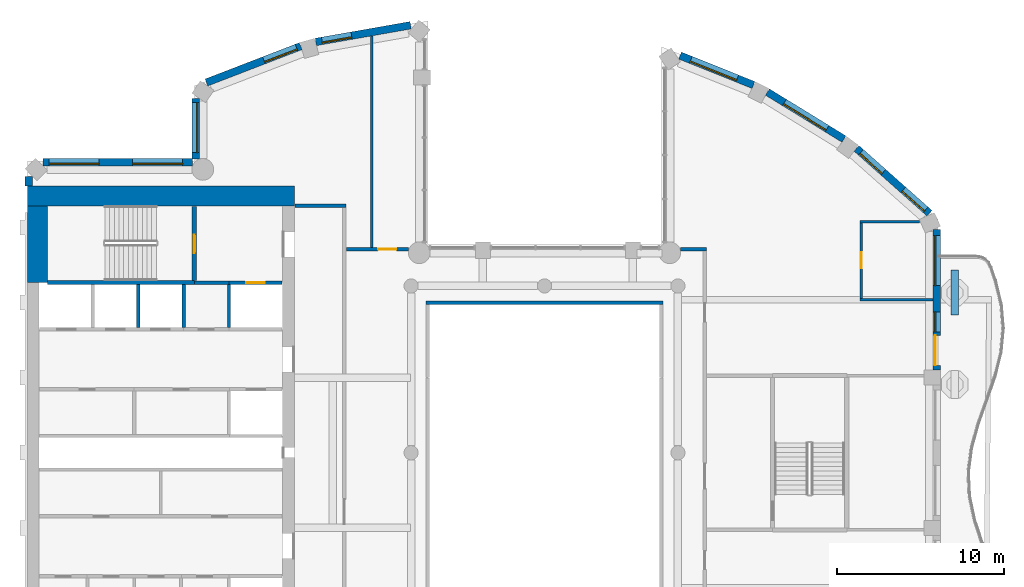
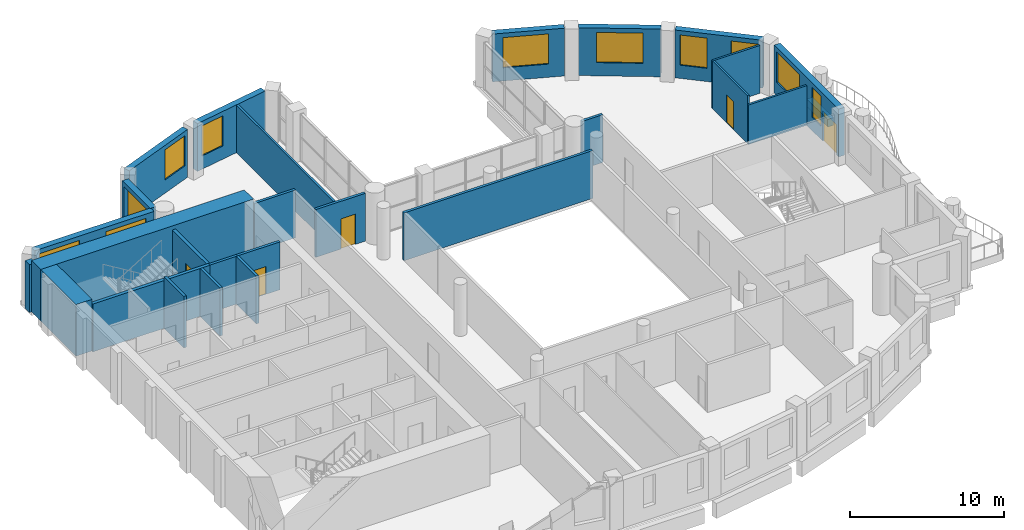
# One storey, part 7 of 14: 27 walls, 11 windows, 5 doors, 16 openings.
"""IFC4 building model written with IfcOpenShell, lengths in metres."""

from ifc_helpers import new_model, si_unit, direction, frame, frame_2d, origin, place, context, subcontext, project, spatial, rectangle, extrude, material, layer, layer_set, type_object, element, fill, save


model = new_model("IFC4")

# Units and contexts
model_context = context("Model", 3, precision=1e-05, world=origin(), true_north=direction((0.0, 1.0)))
body_context = subcontext(model_context, "Body", "Model", "MODEL_VIEW")
ifc_project = project(units=[si_unit("LENGTHUNIT", "METRE"), si_unit("AREAUNIT", "SQUARE_METRE"), si_unit("VOLUMEUNIT", "CUBIC_METRE"), si_unit("PLANEANGLEUNIT", "RADIAN"), si_unit("MASSUNIT", "GRAM", prefix="KILO")], contexts=[model_context])

# Site, building, storey
site_placement = place(None, origin())
site = spatial("IfcSite", under=ifc_project, at=site_placement, CompositionType="ELEMENT")
building_placement = place(site_placement, origin())
building = spatial("IfcBuilding", under=site, at=building_placement, Name="Cypress Arch Tower", CompositionType="ELEMENT")
storey_placement = place(building_placement, frame((0.0, 0.0, 296.699951171875)))
storey = spatial("IfcBuildingStorey", under=building, at=storey_placement, Name="L67", CompositionType="ELEMENT", Elevation=296.699951171875)

# Wall
ifc_material_1 = material(Name="Concrete C40/50, waterproofed", Category="concrete")
ifc_layer_1 = layer(ifc_material_1, 0.449951171875)
ifc_layer_set_1 = layer_set([ifc_layer_1], Name="Balcony planter wall PW450")
wall_type_1 = type_object("IfcWallType", Name="Balcony planter wall PW450", PredefinedType="SOLIDWALL", material=ifc_layer_set_1)
wall_1_placement = place(storey_placement, frame((25.60009765625, 8.25, 0.0), z_axis=(0.0, 0.0, 1.0), x_axis=(0.0, 1.0, 0.0)))
element("IfcWall", 1, at=wall_1_placement, inside=storey, type_object=wall_type_1, Name="Balcony planter wall L67-C17.3", PredefinedType="SOLIDWALL", context=body_context, shape_type="SweptSolid", body=[
    extrude(rectangle(XDim=2.699951171875, YDim=0.449951171875, at=frame_2d((1.35009765625, 0.0))), origin(), (0.0, 0.0, 1.0), 0.60009765625),
])

# Wall, opening, window
ifc_material_2 = material(Name="Brick (red buff blend)", Category="masonry")
ifc_layer_2 = layer(ifc_material_2, 0.449951171875)
ifc_layer_set_2 = layer_set([ifc_layer_2], Name="Brick pier and spandrel wall BW450")
wall_type_2 = type_object("IfcWallType", Name="Brick pier and spandrel wall BW450", PredefinedType="SOLIDWALL", material=ifc_layer_set_2)
wall_2_placement = place(storey_placement, frame((-7.028564453125, 25.63232421875, 0.0), z_axis=(0.0, 0.0, 1.0), x_axis=(-0.984797606634, -0.173705710808, 0.0)))
wall_2 = element("IfcWall", 2, at=wall_2_placement, inside=storey, type_object=wall_type_2, Name="Brick wall L67 C03.0", PredefinedType="SOLIDWALL", context=body_context, shape_type="SweptSolid", body=[
    extrude(rectangle(XDim=5.772216796875, YDim=0.449951171875, at=frame_2d((2.88623046875, 0.0))), origin(), (0.0, 0.0, 1.0), 3.800048828125),
])
opening_1_placement = place(wall_2_placement, frame((3.59326171875, 0.0, 1.050048828125)))
opening_1 = element("IfcOpeningElement", 3, at=opening_1_placement, cuts=wall_2, Name="Opening W180O", PredefinedType="OPENING", context=body_context, shape_type="SweptSolid", body=[
    extrude(rectangle(XDim=1.800048828125, YDim=2.39990234375, at=frame_2d((0.89990234375, 1.199951171875))), frame((0.0, 0.23486328125, 0.0), z_axis=(0.0, -1.0, 0.0), x_axis=(1.0, 0.0, 0.0)), (0.0, 0.0, 1.0), 0.469970703125),
])
ifc_material_3 = material(Name="Anodised aluminium, bronze finish, clear low-emissivity double glazing", Category="aluminium")
window_type_1 = type_object("IfcWindowType", Name="Window Office 1800x2400", PartitioningType="SINGLE_PANEL", PredefinedType="WINDOW", material=ifc_material_3)
window_1_placement = place(opening_1_placement, origin())
window_1 = element("IfcWindow", 4, at=window_1_placement, inside=storey, type_object=window_type_1, Name="Window L67 C03.0.2", OverallHeight=2.39990234375, OverallWidth=1.800048828125, PartitioningType="SINGLE_PANEL", PredefinedType="WINDOW", context=body_context, shape_type="SweptSolid", body=[
    extrude(rectangle(XDim=1.800048828125, YDim=2.39990234375, at=frame_2d((0.89990234375, 1.199951171875))), frame((0.0, 0.135009765625, 0.0), z_axis=(0.0, -1.0, 0.0), x_axis=(1.0, 0.0, 0.0)), (0.0, 0.0, 1.0), 0.06005859375),
])
fill(opening_1, window_1)

wall_3_placement = place(storey_placement, frame((-13.6220703125, 24.376953125, 0.0), z_axis=(0.0, 0.0, 1.0), x_axis=(-0.933129259679, -0.359541075164, 0.0)))
wall_3 = element("IfcWall", 5, at=wall_3_placement, inside=storey, type_object=wall_type_2, Name="Brick wall L67 C04.0", PredefinedType="SOLIDWALL", context=body_context, shape_type="SweptSolid", body=[
    extrude(rectangle(XDim=6.05419921875, YDim=0.449951171875, at=frame_2d((3.027099609375, 0.0))), origin(), (0.0, 0.0, 1.0), 3.800048828125),
])
opening_2_placement = place(wall_3_placement, frame((0.260986328125, 0.0, 1.050048828125)))
opening_2 = element("IfcOpeningElement", 6, at=opening_2_placement, cuts=wall_3, Name="Opening W210O", PredefinedType="OPENING", context=body_context, shape_type="SweptSolid", body=[
    extrude(rectangle(XDim=2.10009765625, YDim=2.39990234375, at=frame_2d((1.050048828125, 1.199951171875))), frame((0.0, 0.23486328125, 0.0), z_axis=(0.0, -1.0, 0.0), x_axis=(1.0, 0.0, 0.0)), (0.0, 0.0, 1.0), 0.469970703125),
])
ifc_material_4 = material(Name="Anodised aluminium, bronze finish, clear low-emissivity double glazing", Category="aluminium")
window_type_2 = type_object("IfcWindowType", Name="Window Office 2100x2400", PartitioningType="SINGLE_PANEL", PredefinedType="WINDOW", material=ifc_material_4)
window_2_placement = place(opening_2_placement, origin())
window_2 = element("IfcWindow", 7, at=window_2_placement, inside=storey, type_object=window_type_2, Name="Window L67 C04.0.1", OverallHeight=2.39990234375, OverallWidth=2.10009765625, PartitioningType="SINGLE_PANEL", PredefinedType="WINDOW", context=body_context, shape_type="SweptSolid", body=[
    extrude(rectangle(XDim=2.10009765625, YDim=2.39990234375, at=frame_2d((1.050048828125, 1.199951171875))), frame((0.0, 0.135009765625, 0.0), z_axis=(0.0, -1.0, 0.0), x_axis=(1.0, 0.0, 0.0)), (0.0, 0.0, 1.0), 0.06005859375),
])
fill(opening_2, window_2)

wall_4_placement = place(storey_placement, frame((-19.925048828125, 21.248291015625, 0.0), z_axis=(0.0, 0.0, 1.0), x_axis=(0.0, -1.0, 0.0)))
wall_4 = element("IfcWall", 8, at=wall_4_placement, inside=storey, type_object=wall_type_2, Name="Brick wall L67 C05.0", PredefinedType="SOLIDWALL", context=body_context, shape_type="SweptSolid", body=[
    extrude(rectangle(XDim=3.646728515625, YDim=0.449951171875, at=frame_2d((1.8232421875, 0.0))), origin(), (0.0, 0.0, 1.0), 3.800048828125),
])
opening_3_placement = place(wall_4_placement, frame((0.251220703125, 0.0, 1.050048828125)))
opening_3 = element("IfcOpeningElement", 9, at=opening_3_placement, cuts=wall_4, Name="Opening W300O", PredefinedType="OPENING", context=body_context, shape_type="SweptSolid", body=[
    extrude(rectangle(XDim=3.0, YDim=2.39990234375, at=frame_2d((1.5, 1.199951171875))), frame((0.0, 0.23486328125, 0.0), z_axis=(0.0, -1.0, 0.0), x_axis=(1.0, 0.0, 0.0)), (0.0, 0.0, 1.0), 0.469970703125),
])
ifc_material_5 = material(Name="Anodised aluminium, bronze finish, clear low-emissivity double glazing", Category="aluminium")
window_type_3 = type_object("IfcWindowType", Name="Window Office 3000x2400", PartitioningType="SINGLE_PANEL", PredefinedType="WINDOW", material=ifc_material_5)
window_3_placement = place(opening_3_placement, origin())
window_3 = element("IfcWindow", 10, at=window_3_placement, inside=storey, type_object=window_type_3, Name="Window L67 C05.0.1", OverallHeight=2.39990234375, OverallWidth=3.0, PartitioningType="SINGLE_PANEL", PredefinedType="WINDOW", context=body_context, shape_type="SweptSolid", body=[
    extrude(rectangle(XDim=3.0, YDim=2.39990234375, at=frame_2d((1.5, 1.199951171875))), frame((0.0, 0.135009765625, 0.0), z_axis=(0.0, -1.0, 0.0), x_axis=(1.0, 0.0, 0.0)), (0.0, 0.0, 1.0), 0.06005859375),
])
fill(opening_3, window_3)

# Wall, openings, windows
wall_5_placement = place(storey_placement, frame((-20.1015625, 17.425048828125, 0.0), z_axis=(0.0, 0.0, 1.0), x_axis=(-1.0, 0.0, 0.0)))
wall_5 = element("IfcWall", 11, at=wall_5_placement, inside=storey, type_object=wall_type_2, Name="Brick wall L67 C06.0", PredefinedType="SOLIDWALL", context=body_context, shape_type="SweptSolid", body=[
    extrude(rectangle(XDim=8.962158203125, YDim=0.449951171875, at=frame_2d((4.48095703125, 0.0))), origin(), (0.0, 0.0, 1.0), 3.800048828125),
])
opening_4_placement = place(wall_5_placement, frame((0.598388671875, 0.0, 1.050048828125)))
opening_4 = element("IfcOpeningElement", 12, at=opening_4_placement, cuts=wall_5, Name="Opening W300O", PredefinedType="OPENING", context=body_context, shape_type="SweptSolid", body=[
    extrude(rectangle(XDim=3.0, YDim=2.39990234375, at=frame_2d((1.5, 1.199951171875))), frame((0.0, 0.23486328125, 0.0), z_axis=(0.0, -1.0, 0.0), x_axis=(1.0, 0.0, 0.0)), (0.0, 0.0, 1.0), 0.469970703125),
])
opening_5_placement = place(wall_5_placement, frame((5.598388671875, 0.0, 1.050048828125)))
opening_5 = element("IfcOpeningElement", 13, at=opening_5_placement, cuts=wall_5, Name="Opening W300O", PredefinedType="OPENING", context=body_context, shape_type="SweptSolid", body=[
    extrude(rectangle(XDim=3.0, YDim=2.39990234375, at=frame_2d((1.5, 1.199951171875))), frame((0.0, 0.23486328125, 0.0), z_axis=(0.0, -1.0, 0.0), x_axis=(1.0, 0.0, 0.0)), (0.0, 0.0, 1.0), 0.469970703125),
])
window_4_placement = place(opening_4_placement, origin())
window_4 = element("IfcWindow", 14, at=window_4_placement, inside=storey, type_object=window_type_3, Name="Window L67 C06.0.1", OverallHeight=2.39990234375, OverallWidth=3.0, PartitioningType="SINGLE_PANEL", PredefinedType="WINDOW", context=body_context, shape_type="SweptSolid", body=[
    extrude(rectangle(XDim=3.0, YDim=2.39990234375, at=frame_2d((1.5, 1.199951171875))), frame((0.0, 0.135009765625, 0.0), z_axis=(0.0, -1.0, 0.0), x_axis=(1.0, 0.0, 0.0)), (0.0, 0.0, 1.0), 0.06005859375),
])
fill(opening_4, window_4)
window_5_placement = place(opening_5_placement, origin())
window_5 = element("IfcWindow", 15, at=window_5_placement, inside=storey, type_object=window_type_3, Name="Window L67 C06.0.2", OverallHeight=2.39990234375, OverallWidth=3.0, PartitioningType="SINGLE_PANEL", PredefinedType="WINDOW", context=body_context, shape_type="SweptSolid", body=[
    extrude(rectangle(XDim=3.0, YDim=2.39990234375, at=frame_2d((1.5, 1.199951171875))), frame((0.0, 0.135009765625, 0.0), z_axis=(0.0, -1.0, 0.0), x_axis=(1.0, 0.0, 0.0)), (0.0, 0.0, 1.0), 0.06005859375),
])
fill(opening_5, window_5)

# Wall
wall_6_placement = place(storey_placement, frame((-29.925048828125, 16.563720703125, 0.0), z_axis=(0.0, 0.0, 1.0), x_axis=(0.0, -1.0, 0.0)))
element("IfcWall", 16, at=wall_6_placement, inside=storey, type_object=wall_type_2, Name="Brick wall L67 C07.0", PredefinedType="SOLIDWALL", context=body_context, shape_type="SweptSolid", body=[
    extrude(rectangle(XDim=0.563720703125, YDim=0.449951171875, at=frame_2d((0.28173828125, 0.0))), origin(), (0.0, 0.0, 1.0), 3.800048828125),
])

# Wall, openings, door, windows
wall_7_placement = place(storey_placement, frame((24.52490234375, 4.949951171875, 0.0), z_axis=(0.0, 0.0, 1.0), x_axis=(0.0, 1.0, 0.0)))
wall_7 = element("IfcWall", 17, at=wall_7_placement, inside=storey, type_object=wall_type_2, Name="Brick wall L67 C17.2", PredefinedType="SOLIDWALL", context=body_context, shape_type="SweptSolid", body=[
    extrude(rectangle(XDim=8.421875, YDim=0.449951171875, at=frame_2d((4.2109375, 0.0))), origin(), (0.0, 0.0, 1.0), 3.800048828125),
])
opening_6_placement = place(wall_7_placement, frame((0.291259765625, 0.0, 0.0)))
opening_6 = element("IfcOpeningElement", 18, at=opening_6_placement, cuts=wall_7, Name="Opening D-L67-C17.2.1", PredefinedType="OPENING", context=body_context, shape_type="SweptSolid", body=[
    extrude(rectangle(XDim=1.800048828125, YDim=2.39990234375, at=frame_2d((0.89990234375, 1.199951171875))), frame((0.0, 0.23486328125, 0.0), z_axis=(0.0, -1.0, 0.0), x_axis=(1.0, 0.0, 0.0)), (0.0, 0.0, 1.0), 0.469970703125),
])
opening_7_placement = place(wall_7_placement, frame((2.291259765625, 0.0, 1.050048828125)))
opening_7 = element("IfcOpeningElement", 19, at=opening_7_placement, cuts=wall_7, Name="Opening W120OD", PredefinedType="OPENING", context=body_context, shape_type="SweptSolid", body=[
    extrude(rectangle(XDim=1.199951171875, YDim=2.39990234375, at=frame_2d((0.60009765625, 1.199951171875))), frame((0.0, 0.23486328125, 0.0), z_axis=(0.0, -1.0, 0.0), x_axis=(1.0, 0.0, 0.0)), (0.0, 0.0, 1.0), 0.469970703125),
])
opening_8_placement = place(wall_7_placement, frame((5.073974609375, 0.0, 1.050048828125)))
opening_8 = element("IfcOpeningElement", 20, at=opening_8_placement, cuts=wall_7, Name="Opening W300OD", PredefinedType="OPENING", context=body_context, shape_type="SweptSolid", body=[
    extrude(rectangle(XDim=3.0, YDim=2.39990234375, at=frame_2d((1.5, 1.199951171875))), frame((0.0, 0.23486328125, 0.0), z_axis=(0.0, -1.0, 0.0), x_axis=(1.0, 0.0, 0.0)), (0.0, 0.0, 1.0), 0.469970703125),
])
ifc_material_6 = material(Name="Anodised aluminium, bronze finish, laminated low-emissivity double glazing, large-missile impact rated", Category="aluminium")
door_type_1 = type_object("IfcDoorType", Name="Balcony sliding door 1800x2400", OperationType="SLIDING_TO_LEFT", PredefinedType="DOOR", material=ifc_material_6)
door_1_placement = place(opening_6_placement, origin())
door_1 = element("IfcDoor", 21, at=door_1_placement, inside=storey, type_object=door_type_1, Name="Balcony door L67 C17.2.1", OperationType="SLIDING_TO_LEFT", OverallHeight=2.39990234375, OverallWidth=1.800048828125, PredefinedType="DOOR", context=body_context, shape_type="SweptSolid", body=[
    extrude(rectangle(XDim=1.800048828125, YDim=2.39990234375, at=frame_2d((0.89990234375, 1.199951171875))), frame((0.0, 0.1298828125, 0.0), z_axis=(0.0, -1.0, 0.0), x_axis=(1.0, 0.0, 0.0)), (0.0, 0.0, 1.0), 0.050048828125),
])
fill(opening_6, door_1)
ifc_material_7 = material(Name="Anodised aluminium, bronze finish, laminated low-emissivity double glazing, large-missile impact rated", Category="aluminium")
window_type_4 = type_object("IfcWindowType", Name="Window Office 1200x2400 debris-rated", PartitioningType="SINGLE_PANEL", PredefinedType="WINDOW", material=ifc_material_7)
window_6_placement = place(opening_7_placement, origin())
window_6 = element("IfcWindow", 22, at=window_6_placement, inside=storey, type_object=window_type_4, Name="Window L67 C17.2.1", OverallHeight=2.39990234375, OverallWidth=1.199951171875, PartitioningType="SINGLE_PANEL", PredefinedType="WINDOW", context=body_context, shape_type="SweptSolid", body=[
    extrude(rectangle(XDim=1.199951171875, YDim=2.39990234375, at=frame_2d((0.60009765625, 1.199951171875))), frame((0.0, 0.135009765625, 0.0), z_axis=(0.0, -1.0, 0.0), x_axis=(1.0, 0.0, 0.0)), (0.0, 0.0, 1.0), 0.06005859375),
])
fill(opening_7, window_6)
ifc_material_8 = material(Name="Anodised aluminium, bronze finish, laminated low-emissivity double glazing, large-missile impact rated", Category="aluminium")
window_type_5 = type_object("IfcWindowType", Name="Window Office 3000x2400 debris-rated", PartitioningType="SINGLE_PANEL", PredefinedType="WINDOW", material=ifc_material_8)
window_7_placement = place(opening_8_placement, origin())
window_7 = element("IfcWindow", 23, at=window_7_placement, inside=storey, type_object=window_type_5, Name="Window L67 C17.2.2", OverallHeight=2.39990234375, OverallWidth=3.0, PartitioningType="SINGLE_PANEL", PredefinedType="WINDOW", context=body_context, shape_type="SweptSolid", body=[
    extrude(rectangle(XDim=3.0, YDim=2.39990234375, at=frame_2d((1.5, 1.199951171875))), frame((0.0, 0.135009765625, 0.0), z_axis=(0.0, -1.0, 0.0), x_axis=(1.0, 0.0, 0.0)), (0.0, 0.0, 1.0), 0.06005859375),
])
fill(opening_8, window_7)

# Wall, openings, windows
wall_8_placement = place(storey_placement, frame((24.08056640625, 14.361083984375, 0.0), z_axis=(0.0, 0.0, 1.0), x_axis=(-0.747570482973, 0.664182484704, 0.0)))
wall_8 = element("IfcWall", 24, at=wall_8_placement, inside=storey, type_object=wall_type_2, Name="Brick wall L67 C18.0", PredefinedType="SOLIDWALL", context=body_context, shape_type="SweptSolid", body=[
    extrude(rectangle(XDim=5.849609375, YDim=0.449951171875, at=frame_2d((2.9248046875, 0.0))), origin(), (0.0, 0.0, 1.0), 3.800048828125),
])
opening_9_placement = place(wall_8_placement, frame((0.305419921875, 0.0, 1.050048828125)))
opening_9 = element("IfcOpeningElement", 25, at=opening_9_placement, cuts=wall_8, Name="Opening W180O", PredefinedType="OPENING", context=body_context, shape_type="SweptSolid", body=[
    extrude(rectangle(XDim=1.800048828125, YDim=2.39990234375, at=frame_2d((0.89990234375, 1.199951171875))), frame((0.0, 0.23486328125, 0.0), z_axis=(0.0, -1.0, 0.0), x_axis=(1.0, 0.0, 0.0)), (0.0, 0.0, 1.0), 0.469970703125),
])
opening_10_placement = place(wall_8_placement, frame((3.702880859375, 0.0, 1.050048828125)))
opening_10 = element("IfcOpeningElement", 26, at=opening_10_placement, cuts=wall_8, Name="Opening W180O", PredefinedType="OPENING", context=body_context, shape_type="SweptSolid", body=[
    extrude(rectangle(XDim=1.800048828125, YDim=2.39990234375, at=frame_2d((0.89990234375, 1.199951171875))), frame((0.0, 0.23486328125, 0.0), z_axis=(0.0, -1.0, 0.0), x_axis=(1.0, 0.0, 0.0)), (0.0, 0.0, 1.0), 0.469970703125),
])
window_8_placement = place(opening_9_placement, origin())
window_8 = element("IfcWindow", 27, at=window_8_placement, inside=storey, type_object=window_type_1, Name="Window L67 C18.0.1", OverallHeight=2.39990234375, OverallWidth=1.800048828125, PartitioningType="SINGLE_PANEL", PredefinedType="WINDOW", context=body_context, shape_type="SweptSolid", body=[
    extrude(rectangle(XDim=1.800048828125, YDim=2.39990234375, at=frame_2d((0.89990234375, 1.199951171875))), frame((0.0, 0.135009765625, 0.0), z_axis=(0.0, -1.0, 0.0), x_axis=(1.0, 0.0, 0.0)), (0.0, 0.0, 1.0), 0.06005859375),
])
fill(opening_9, window_8)
window_9_placement = place(opening_10_placement, origin())
window_9 = element("IfcWindow", 28, at=window_9_placement, inside=storey, type_object=window_type_1, Name="Window L67 C18.0.2", OverallHeight=2.39990234375, OverallWidth=1.800048828125, PartitioningType="SINGLE_PANEL", PredefinedType="WINDOW", context=body_context, shape_type="SweptSolid", body=[
    extrude(rectangle(XDim=1.800048828125, YDim=2.39990234375, at=frame_2d((0.89990234375, 1.199951171875))), frame((0.0, 0.135009765625, 0.0), z_axis=(0.0, -1.0, 0.0), x_axis=(1.0, 0.0, 0.0)), (0.0, 0.0, 1.0), 0.06005859375),
])
fill(opening_10, window_9)

# Wall, opening, window
wall_9_placement = place(storey_placement, frame((18.953369140625, 18.806396484375, 0.0), z_axis=(0.0, 0.0, 1.0), x_axis=(-0.851860664503, 0.523768468193, 0.0)))
wall_9 = element("IfcWall", 29, at=wall_9_placement, inside=storey, type_object=wall_type_2, Name="Brick wall L67 C19.0", PredefinedType="SOLIDWALL", context=body_context, shape_type="SweptSolid", body=[
    extrude(rectangle(XDim=5.3837890625, YDim=0.449951171875, at=frame_2d((2.69189453125, 0.0))), origin(), (0.0, 0.0, 1.0), 3.800048828125),
])
opening_11_placement = place(wall_9_placement, frame((1.19189453125, 0.0, 1.050048828125)))
opening_11 = element("IfcOpeningElement", 30, at=opening_11_placement, cuts=wall_9, Name="Opening W300O", PredefinedType="OPENING", context=body_context, shape_type="SweptSolid", body=[
    extrude(rectangle(XDim=3.0, YDim=2.39990234375, at=frame_2d((1.5, 1.199951171875))), frame((0.0, 0.23486328125, 0.0), z_axis=(0.0, -1.0, 0.0), x_axis=(1.0, 0.0, 0.0)), (0.0, 0.0, 1.0), 0.469970703125),
])
window_10_placement = place(opening_11_placement, origin())
window_10 = element("IfcWindow", 31, at=window_10_placement, inside=storey, type_object=window_type_3, Name="Window L67 C19.0.1", OverallHeight=2.39990234375, OverallWidth=3.0, PartitioningType="SINGLE_PANEL", PredefinedType="WINDOW", context=body_context, shape_type="SweptSolid", body=[
    extrude(rectangle(XDim=3.0, YDim=2.39990234375, at=frame_2d((1.5, 1.199951171875))), frame((0.0, 0.135009765625, 0.0), z_axis=(0.0, -1.0, 0.0), x_axis=(1.0, 0.0, 0.0)), (0.0, 0.0, 1.0), 0.06005859375),
])
fill(opening_11, window_10)

wall_10_placement = place(storey_placement, frame((13.529296875, 22.04833984375, 0.0), z_axis=(0.0, 0.0, 1.0), x_axis=(-0.927957332619, 0.372686448424, 0.0)))
wall_10 = element("IfcWall", 32, at=wall_10_placement, inside=storey, type_object=wall_type_2, Name="Brick wall L67 C20.0", PredefinedType="SOLIDWALL", context=body_context, shape_type="SweptSolid", body=[
    extrude(rectangle(XDim=4.741455078125, YDim=0.449951171875, at=frame_2d((2.37060546875, 0.0))), origin(), (0.0, 0.0, 1.0), 3.800048828125),
])
opening_12_placement = place(wall_10_placement, frame((1.046630859375, 0.0, 1.050048828125)))
opening_12 = element("IfcOpeningElement", 33, at=opening_12_placement, cuts=wall_10, Name="Opening W300O", PredefinedType="OPENING", context=body_context, shape_type="SweptSolid", body=[
    extrude(rectangle(XDim=3.0, YDim=2.39990234375, at=frame_2d((1.5, 1.199951171875))), frame((0.0, 0.23486328125, 0.0), z_axis=(0.0, -1.0, 0.0), x_axis=(1.0, 0.0, 0.0)), (0.0, 0.0, 1.0), 0.469970703125),
])
window_11_placement = place(opening_12_placement, origin())
window_11 = element("IfcWindow", 34, at=window_11_placement, inside=storey, type_object=window_type_3, Name="Window L67 C20.0.1", OverallHeight=2.39990234375, OverallWidth=3.0, PartitioningType="SINGLE_PANEL", PredefinedType="WINDOW", context=body_context, shape_type="SweptSolid", body=[
    extrude(rectangle(XDim=3.0, YDim=2.39990234375, at=frame_2d((1.5, 1.199951171875))), frame((0.0, 0.135009765625, 0.0), z_axis=(0.0, -1.0, 0.0), x_axis=(1.0, 0.0, 0.0)), (0.0, 0.0, 1.0), 0.06005859375),
])
fill(opening_12, window_11)

# Walls
ifc_material_9 = material(Name="Concrete C60/75", Category="concrete")
ifc_layer_3 = layer(ifc_material_9, 1.199951171875)
ifc_layer_set_3 = layer_set([ifc_layer_3], Name="Core wall CW1200 C60/75")
wall_type_3 = type_object("IfcWallType", Name="Core wall CW1200 C60/75", PredefinedType="SHEAR", material=ifc_layer_set_3)
wall_11_placement = place(storey_placement, frame((-30.0, 15.39990234375, 0.0), z_axis=(0.0, 0.0, 1.0), x_axis=(1.0, 0.0, 0.0)))
element("IfcWall", 35, at=wall_11_placement, inside=storey, type_object=wall_type_3, Name="Core wall", PredefinedType="SHEAR", context=body_context, shape_type="SweptSolid", body=[
    extrude(rectangle(XDim=16.0, YDim=1.199951171875, at=frame_2d((8.0, 0.0))), origin(), (0.0, 0.0, 1.0), 4.10009765625),
])
wall_12_placement = place(storey_placement, frame((-29.39990234375, 10.199951171875, 0.0), z_axis=(0.0, 0.0, 1.0), x_axis=(0.0, 1.0, 0.0)))
element("IfcWall", 36, at=wall_12_placement, inside=storey, type_object=wall_type_3, Name="Core wall", PredefinedType="SHEAR", context=body_context, shape_type="SweptSolid", body=[
    extrude(rectangle(XDim=4.60009765625, YDim=1.199951171875, at=frame_2d((2.300048828125, 0.0))), origin(), (0.0, 0.0, 1.0), 4.10009765625),
])
ifc_material_10 = material(Name="Concrete blockwork, plastered, rated", Category="masonry")
ifc_layer_4 = layer(ifc_material_10, 0.199951171875)
ifc_layer_set_4 = layer_set([ifc_layer_4], Name="Corridor wall FW200")
wall_type_4 = type_object("IfcWallType", Name="Corridor wall FW200", PredefinedType="PARTITIONING", material=ifc_layer_set_4)
wall_13_placement = place(storey_placement, frame((-20.0, 10.199951171875, 0.0), z_axis=(0.0, 0.0, 1.0), x_axis=(1.0, 0.0, 0.0)))
element("IfcWall", 37, at=wall_13_placement, inside=storey, type_object=wall_type_4, Name="Corridor wall", PredefinedType="PARTITIONING", context=body_context, shape_type="SweptSolid", body=[
    extrude(rectangle(XDim=2.080078125, YDim=0.199951171875, at=frame_2d((1.0400390625, 0.0))), origin(), (0.0, 0.0, 1.0), 3.800048828125),
])
wall_14_placement = place(storey_placement, frame((-13.969970703125, 14.800048828125, 0.0), z_axis=(0.0, 0.0, 1.0), x_axis=(1.0, 0.0, 0.0)))
element("IfcWall", 38, at=wall_14_placement, inside=storey, type_object=wall_type_4, Name="Corridor wall", PredefinedType="PARTITIONING", context=body_context, shape_type="SweptSolid", body=[
    extrude(rectangle(XDim=3.070068359375, YDim=0.199951171875, at=frame_2d((1.53515625, 0.0))), origin(), (0.0, 0.0, 1.0), 3.800048828125),
])

# Wall, opening, door
wall_15_placement = place(storey_placement, frame((-10.8798828125, 12.199951171875, 0.0), z_axis=(0.0, 0.0, 1.0), x_axis=(1.0, 0.0, 0.0)))
wall_15 = element("IfcWall", 39, at=wall_15_placement, inside=storey, type_object=wall_type_4, Name="Corridor wall", PredefinedType="PARTITIONING", context=body_context, shape_type="SweptSolid", body=[
    extrude(rectangle(XDim=3.736083984375, YDim=0.199951171875, at=frame_2d((1.8681640625, 0.0))), origin(), (0.0, 0.0, 1.0), 3.800048828125),
])
opening_13_placement = place(wall_15_placement, frame((1.89990234375, 0.0, 0.0)))
opening_13 = element("IfcOpeningElement", 40, at=opening_13_placement, cuts=wall_15, Name="Opening D01", PredefinedType="OPENING", context=body_context, shape_type="SweptSolid", body=[
    extrude(rectangle(XDim=1.10009765625, YDim=2.39990234375, at=frame_2d((0.550048828125, 1.199951171875))), frame((0.0, 0.10986328125, 0.0), z_axis=(0.0, -1.0, 0.0), x_axis=(1.0, 0.0, 0.0)), (0.0, 0.0, 1.0), 0.219970703125),
])
ifc_material_11 = material(Name="Timber flush door, fire resisting, self-closing", Category="wood")
door_type_2 = type_object("IfcDoorType", Name="Unit entrance door D01 1100x2400", OperationType="SINGLE_SWING_LEFT", PredefinedType="DOOR", material=ifc_material_11)
door_2_placement = place(opening_13_placement, origin())
door_2 = element("IfcDoor", 41, at=door_2_placement, inside=storey, type_object=door_type_2, Name="Unit entrance door", OperationType="SINGLE_SWING_LEFT", OverallHeight=2.39990234375, OverallWidth=1.10009765625, PredefinedType="DOOR", context=body_context, shape_type="SweptSolid", body=[
    extrude(rectangle(XDim=1.10009765625, YDim=2.39990234375, at=frame_2d((0.550048828125, 1.199951171875))), frame((0.0, 0.02490234375, 0.0), z_axis=(0.0, -1.0, 0.0), x_axis=(1.0, 0.0, 0.0)), (0.0, 0.0, 1.0), 0.050048828125),
])
fill(opening_13, door_2)

# Walls
wall_16_placement = place(storey_placement, frame((-6.10009765625, 9.0, 0.0), z_axis=(0.0, 0.0, 1.0), x_axis=(1.0, 0.0, 0.0)))
element("IfcWall", 42, at=wall_16_placement, inside=storey, type_object=wall_type_4, Name="Corridor wall", PredefinedType="PARTITIONING", context=body_context, shape_type="SweptSolid", body=[
    extrude(rectangle(XDim=14.2001953125, YDim=0.199951171875, at=frame_2d((7.10009765625, 0.0))), origin(), (0.0, 0.0, 1.0), 3.800048828125),
])
wall_17_placement = place(storey_placement, frame((9.143798828125, 12.199951171875, 0.0), z_axis=(0.0, 0.0, 1.0), x_axis=(1.0, 0.0, 0.0)))
element("IfcWall", 43, at=wall_17_placement, inside=storey, type_object=wall_type_4, Name="Corridor wall", PredefinedType="PARTITIONING", context=body_context, shape_type="SweptSolid", body=[
    extrude(rectangle(XDim=1.55615234375, YDim=0.199951171875, at=frame_2d((0.778076171875, 0.0))), origin(), (0.0, 0.0, 1.0), 3.800048828125),
])
ifc_material_12 = material(Name="Blockwork, plastered both sides", Category="masonry")
ifc_layer_5 = layer(ifc_material_12, 0.14990234375)
ifc_layer_set_5 = layer_set([ifc_layer_5], Name="Partition PW150")
wall_type_5 = type_object("IfcWallType", Name="Partition PW150", PredefinedType="PARTITIONING", material=ifc_layer_set_5)
wall_18_placement = place(storey_placement, frame((-9.344482421875, 12.320068359375, 0.0), z_axis=(0.0, 0.0, 1.0), x_axis=(0.0, 1.0, 0.0)))
element("IfcWall", 44, at=wall_18_placement, inside=storey, type_object=wall_type_5, Name="Partition", PredefinedType="PARTITIONING", context=body_context, shape_type="SweptSolid", body=[
    extrude(rectangle(XDim=12.67529296875, YDim=0.14990234375, at=frame_2d((6.337646484375, 0.0))), origin(), (0.0, 0.0, 1.0), 3.800048828125),
])

# Wall, opening, door
wall_19_placement = place(storey_placement, frame((20.0, 9.258056640625, 0.0), z_axis=(0.0, 0.0, 1.0), x_axis=(0.0, 1.0, 0.0)))
wall_19 = element("IfcWall", 45, at=wall_19_placement, inside=storey, type_object=wall_type_5, Name="Partition", PredefinedType="PARTITIONING", context=body_context, shape_type="SweptSolid", body=[
    extrude(rectangle(XDim=4.531982421875, YDim=0.14990234375, at=frame_2d((2.26611328125, 0.0))), origin(), (0.0, 0.0, 1.0), 3.800048828125),
])
opening_14_placement = place(wall_19_placement, frame((1.800048828125, 0.0, 0.0)))
opening_14 = element("IfcOpeningElement", 46, at=opening_14_placement, cuts=wall_19, Name="Opening D12", PredefinedType="OPENING", context=body_context, shape_type="SweptSolid", body=[
    extrude(rectangle(XDim=0.949951171875, YDim=2.199951171875, at=frame_2d((0.47509765625, 1.10009765625))), frame((0.0, 0.0849609375, 0.0), z_axis=(0.0, -1.0, 0.0), x_axis=(1.0, 0.0, 0.0)), (0.0, 0.0, 1.0), 0.169921875),
])
ifc_material_13 = material(Name="Timber flush door", Category="wood")
door_type_3 = type_object("IfcDoorType", Name="Room door D12 950x2200", OperationType="SINGLE_SWING_LEFT", PredefinedType="DOOR", material=ifc_material_13)
door_3_placement = place(opening_14_placement, origin())
door_3 = element("IfcDoor", 47, at=door_3_placement, inside=storey, type_object=door_type_3, Name="Room door", OperationType="SINGLE_SWING_RIGHT", OverallHeight=2.199951171875, OverallWidth=0.949951171875, PredefinedType="DOOR", context=body_context, shape_type="SweptSolid", body=[
    extrude(rectangle(XDim=0.949951171875, YDim=2.199951171875, at=frame_2d((0.47509765625, 1.10009765625))), frame((0.0, 0.02490234375, 0.0), z_axis=(0.0, -1.0, 0.0), x_axis=(1.0, 0.0, 0.0)), (0.0, 0.0, 1.0), 0.050048828125),
])
fill(opening_14, door_3)

# Walls
wall_20_placement = place(storey_placement, frame((19.925048828125, 9.18310546875, 0.0), z_axis=(0.0, 0.0, 1.0), x_axis=(1.0, 0.0, 0.0)))
element("IfcWall", 48, at=wall_20_placement, inside=storey, type_object=wall_type_5, Name="Partition", PredefinedType="PARTITIONING", context=body_context, shape_type="SweptSolid", body=[
    extrude(rectangle(XDim=4.375, YDim=0.14990234375, at=frame_2d((2.1875, 0.0))), origin(), (0.0, 0.0, 1.0), 3.150146484375),
])
wall_21_placement = place(storey_placement, frame((19.925048828125, 13.864990234375, 0.0), z_axis=(0.0, 0.0, 1.0), x_axis=(1.0, 0.0, 0.0)))
element("IfcWall", 49, at=wall_21_placement, inside=storey, type_object=wall_type_5, Name="Partition", PredefinedType="PARTITIONING", context=body_context, shape_type="SweptSolid", body=[
    extrude(rectangle(XDim=3.568115234375, YDim=0.14990234375, at=frame_2d((1.7841796875, 0.0))), origin(), (0.0, 0.0, 1.0), 3.800048828125),
])
ifc_material_14 = material(Name="Concrete C50/60", Category="concrete")
ifc_layer_6 = layer(ifc_material_14, 0.199951171875)
ifc_layer_set_6 = layer_set([ifc_layer_6], Name="Shaft wall SH200")
wall_type_6 = type_object("IfcWallType", Name="Shaft wall SH200", PredefinedType="SHEAR", material=ifc_layer_set_6)
wall_22_placement = place(storey_placement, frame((-23.360107421875, 7.5, 0.0), z_axis=(0.0, 0.0, 1.0), x_axis=(0.0, 1.0, 0.0)))
element("IfcWall", 50, at=wall_22_placement, inside=storey, type_object=wall_type_6, Name="Shaft wall", PredefinedType="SHEAR", context=body_context, shape_type="SweptSolid", body=[
    extrude(rectangle(XDim=2.574951171875, YDim=0.199951171875, at=frame_2d((1.28759765625, 0.0))), origin(), (0.0, 0.0, 1.0), 4.10009765625),
])
wall_23_placement = place(storey_placement, frame((-20.639892578125, 7.5, 0.0), z_axis=(0.0, 0.0, 1.0), x_axis=(0.0, 1.0, 0.0)))
element("IfcWall", 51, at=wall_23_placement, inside=storey, type_object=wall_type_6, Name="Shaft wall", PredefinedType="SHEAR", context=body_context, shape_type="SweptSolid", body=[
    extrude(rectangle(XDim=2.574951171875, YDim=0.199951171875, at=frame_2d((1.28759765625, 0.0))), origin(), (0.0, 0.0, 1.0), 3.800048828125),
])
wall_24_placement = place(storey_placement, frame((-17.919921875, 7.5, 0.0), z_axis=(0.0, 0.0, 1.0), x_axis=(0.0, 1.0, 0.0)))
element("IfcWall", 52, at=wall_24_placement, inside=storey, type_object=wall_type_6, Name="Shaft wall", PredefinedType="SHEAR", context=body_context, shape_type="SweptSolid", body=[
    extrude(rectangle(XDim=2.60009765625, YDim=0.199951171875, at=frame_2d((1.300048828125, 0.0))), origin(), (0.0, 0.0, 1.0), 3.800048828125),
])

# Wall, opening, door
wall_25_placement = place(storey_placement, frame((-17.919921875, 10.199951171875, 0.0), z_axis=(0.0, 0.0, 1.0), x_axis=(1.0, 0.0, 0.0)))
wall_25 = element("IfcWall", 53, at=wall_25_placement, inside=storey, type_object=wall_type_6, Name="Shaft wall", PredefinedType="SHEAR", context=body_context, shape_type="SweptSolid", body=[
    extrude(rectangle(XDim=3.18994140625, YDim=0.199951171875, at=frame_2d((1.594970703125, 0.0))), origin(), (0.0, 0.0, 1.0), 3.800048828125),
])
opening_15_placement = place(wall_25_placement, frame((1.050048828125, 0.0, 0.0)))
opening_15 = element("IfcOpeningElement", 54, at=opening_15_placement, cuts=wall_25, Name="Opening LD-FL2", PredefinedType="OPENING", context=body_context, shape_type="SweptSolid", body=[
    extrude(rectangle(XDim=1.10009765625, YDim=2.199951171875, at=frame_2d((0.550048828125, 1.10009765625))), frame((0.0, 0.10986328125, 0.0), z_axis=(0.0, -1.0, 0.0), x_axis=(1.0, 0.0, 0.0)), (0.0, 0.0, 1.0), 0.219970703125),
])
ifc_material_15 = material(Name="Stainless steel centre-opening landing door, rated", Category="steel")
door_type_4 = type_object("IfcDoorType", Name="Lift landing door LD 1100x2200", OperationType="DOUBLE_DOOR_SLIDING", PredefinedType="DOOR", material=ifc_material_15)
door_4_placement = place(opening_15_placement, origin())
door_4 = element("IfcDoor", 55, at=door_4_placement, inside=storey, type_object=door_type_4, Name="Lift landing doors FL2", OperationType="DOUBLE_DOOR_SLIDING", OverallHeight=2.199951171875, OverallWidth=1.10009765625, PredefinedType="DOOR", context=body_context, shape_type="SweptSolid", body=[
    extrude(rectangle(XDim=1.10009765625, YDim=2.199951171875, at=frame_2d((0.550048828125, 1.10009765625))), frame((0.0, 0.02490234375, 0.0), z_axis=(0.0, -1.0, 0.0), x_axis=(1.0, 0.0, 0.0)), (0.0, 0.0, 1.0), 0.050048828125),
])
fill(opening_15, door_4)

# Wall
ifc_material_16 = material(Name="Concrete C50/60", Category="concrete")
ifc_layer_7 = layer(ifc_material_16, 0.25)
ifc_layer_set_7 = layer_set([ifc_layer_7], Name="Stair enclosure wall SW250")
wall_type_7 = type_object("IfcWallType", Name="Stair enclosure wall SW250", PredefinedType="SHEAR", material=ifc_layer_set_7)
wall_26_placement = place(storey_placement, frame((-28.81005859375, 10.199951171875, 0.0), z_axis=(0.0, 0.0, 1.0), x_axis=(1.0, 0.0, 0.0)))
element("IfcWall", 56, at=wall_26_placement, inside=storey, type_object=wall_type_7, Name="Stair enclosure wall", PredefinedType="SHEAR", context=body_context, shape_type="SweptSolid", body=[
    extrude(rectangle(XDim=8.81005859375, YDim=0.25, at=frame_2d((4.405029296875, 0.0))), origin(), (0.0, 0.0, 1.0), 3.800048828125),
])

# Wall, opening, door
wall_27_placement = place(storey_placement, frame((-20.0, 10.324951171875, 0.0), z_axis=(0.0, 0.0, 1.0), x_axis=(0.0, 1.0, 0.0)))
wall_27 = element("IfcWall", 57, at=wall_27_placement, inside=storey, type_object=wall_type_7, Name="Stair enclosure wall", PredefinedType="SHEAR", context=body_context, shape_type="SweptSolid", body=[
    extrude(rectangle(XDim=4.445068359375, YDim=0.25, at=frame_2d((2.22265625, 0.0))), origin(), (0.0, 0.0, 1.0), 3.800048828125),
])
opening_16_placement = place(wall_27_placement, frame((1.64990234375, 0.0, 0.0)))
opening_16 = element("IfcOpeningElement", 58, at=opening_16_placement, cuts=wall_27, Name="Opening D06", PredefinedType="OPENING", context=body_context, shape_type="SweptSolid", body=[
    extrude(rectangle(XDim=1.10009765625, YDim=2.199951171875, at=frame_2d((0.550048828125, 1.10009765625))), frame((0.0, 0.135009765625, 0.0), z_axis=(0.0, -1.0, 0.0), x_axis=(1.0, 0.0, 0.0)), (0.0, 0.0, 1.0), 0.27001953125),
])
ifc_material_17 = material(Name="Steel door, fire resisting, panic bar", Category="steel")
door_type_5 = type_object("IfcDoorType", Name="Stair door D06 1100x2200", OperationType="SINGLE_SWING_LEFT", PredefinedType="DOOR", material=ifc_material_17)
door_5_placement = place(opening_16_placement, origin())
door_5 = element("IfcDoor", 59, at=door_5_placement, inside=storey, type_object=door_type_5, Name="Stair door", OperationType="SINGLE_SWING_LEFT", OverallHeight=2.199951171875, OverallWidth=1.10009765625, PredefinedType="DOOR", context=body_context, shape_type="SweptSolid", body=[
    extrude(rectangle(XDim=1.10009765625, YDim=2.199951171875, at=frame_2d((0.550048828125, 1.10009765625))), frame((0.0, 0.02490234375, 0.0), z_axis=(0.0, -1.0, 0.0), x_axis=(1.0, 0.0, 0.0)), (0.0, 0.0, 1.0), 0.050048828125),
])
fill(opening_16, door_5)

save(model, "model.ifc")
